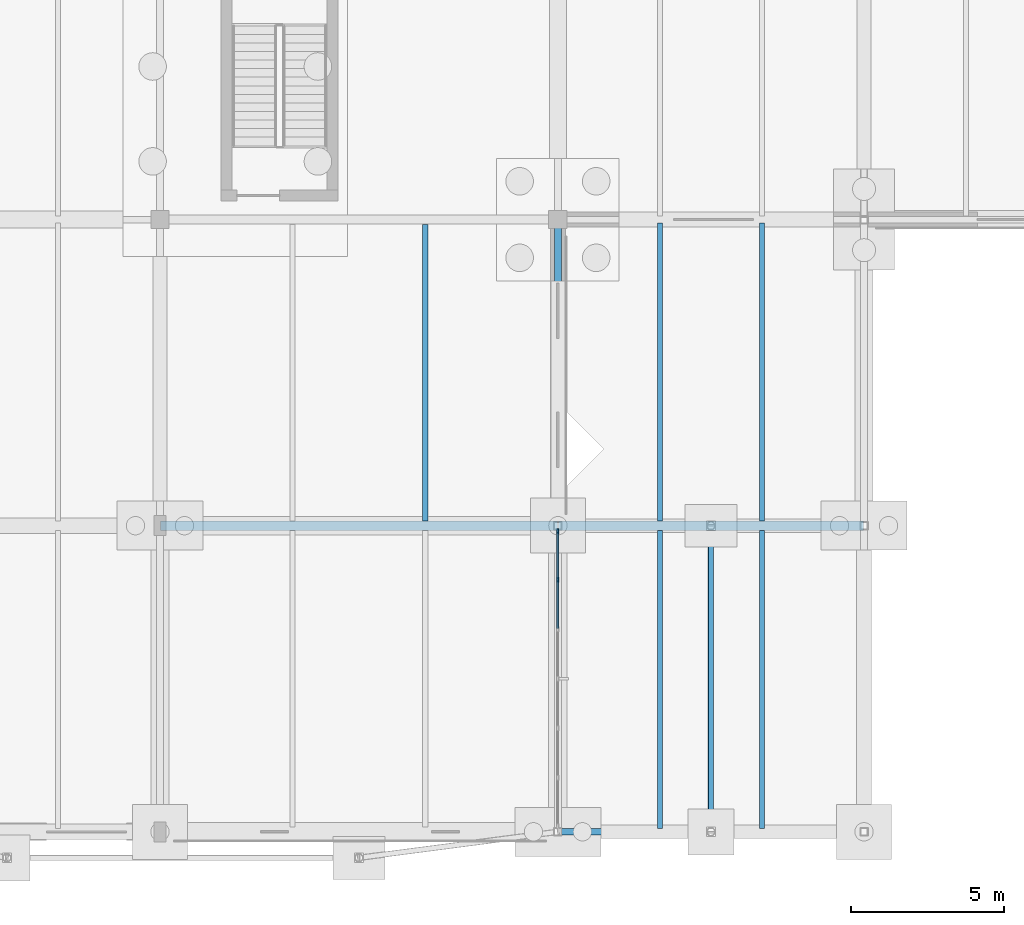
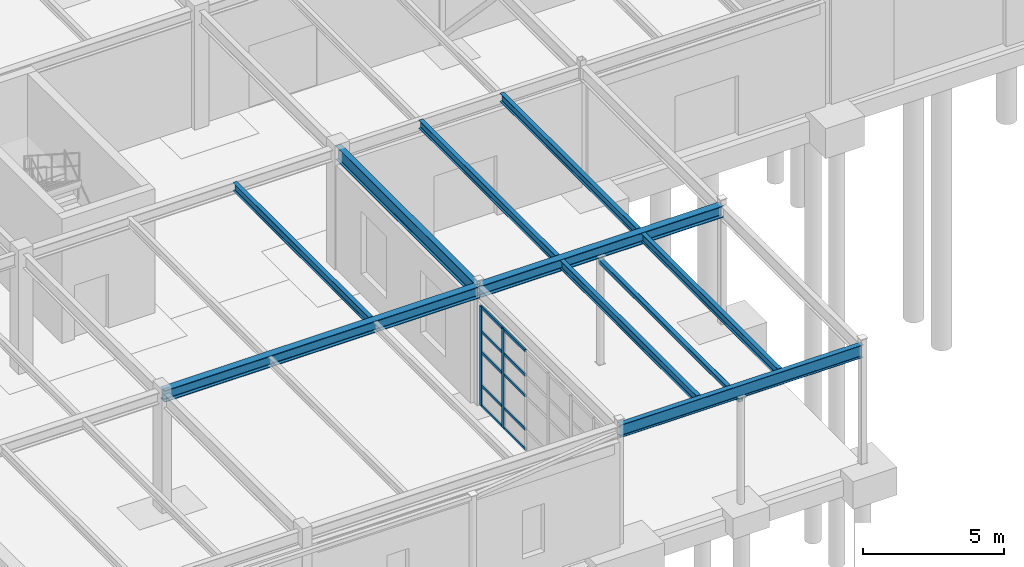
# One storey, part 35 of 145: 12 members, 10 beams, 1 element without a shape of its own.
"""IFC4 building model written with IfcOpenShell, lengths in metres."""

import ifcopenshell
import ifcopenshell.guid

model = None  # the IFC model being written
_history = None  # IfcOwnerHistory: only IFC2X3 demands one
_inside = {}  # id of a spatial element -> (the spatial element, [elements in it])
_under = {}  # id of a project, library or spatial element -> (it, [spatial elements below it])
_declared = {}  # id of a project -> (the project, [libraries it declares])
_typed = {}  # id of a type object -> (the type object, [elements of that type])
_made_of = {}  # id of a material, layer set ... -> (it, [elements and type objects made of it])


def new_model(schema):
    """Start an empty IFC model of exactly this schema.

    Asked for "IFC4X3", IfcOpenShell would pick the latest addendum, in which some entities
    have other attributes; the version numbers below select the first issue.
    IFC2X3 requires an IfcOwnerHistory on every rooted entity: one is made here for all.
    """
    global model, _history
    if schema == "IFC4X3":
        model = ifcopenshell.file(schema_version=(4, 3, 0, 0))
    else:
        model = ifcopenshell.file(schema=schema)
    _inside.clear()
    _under.clear()
    _declared.clear()
    _typed.clear()
    _made_of.clear()
    _history = None
    if model.schema == "IFC2X3":
        org = make("IfcOrganization", Name="unknown")
        user = make(
            "IfcPersonAndOrganization",
            ThePerson=make("IfcPerson", FamilyName="unknown"),
            TheOrganization=org,
        )
        app = make(
            "IfcApplication",
            ApplicationDeveloper=org,
            Version="unknown",
            ApplicationFullName="unknown",
            ApplicationIdentifier="unknown",
        )
        _history = make(
            "IfcOwnerHistory",
            OwningUser=user,
            OwningApplication=app,
            ChangeAction="ADDED",
            CreationDate=0,
        )
    return model


def make(cls, **values):
    """One entity of the class cls with the attributes given. An attribute that is None is left unset."""
    return model.create_entity(
        cls, **{name: value for name, value in values.items() if value is not None}
    )


def rooted(cls, **values):
    """An entity with a GlobalId (a new one), such as an element, a storey or a relation."""
    return make(cls, GlobalId=ifcopenshell.guid.new(), OwnerHistory=_history, **values)


def si_unit(unit_type, name, prefix=None):
    """IfcSIUnit, for example si_unit("LENGTHUNIT", "METRE", prefix="MILLI")."""
    return make("IfcSIUnit", UnitType=unit_type, Prefix=prefix, Name=name)


def assignment(units):
    """IfcUnitAssignment: the units of a project."""
    return None if units is None else make("IfcUnitAssignment", Units=units)


def point(xyz):
    """IfcCartesianPoint."""
    return None if xyz is None else make("IfcCartesianPoint", Coordinates=xyz)


def direction(xyz):
    """IfcDirection."""
    return None if xyz is None else make("IfcDirection", DirectionRatios=xyz)


def frame(location, z_axis=None, x_axis=None):
    """IfcAxis2Placement3D, a coordinate frame: its origin and axes. An axis left out is left unset."""
    return make(
        "IfcAxis2Placement3D",
        Location=point(location),
        Axis=direction(z_axis),
        RefDirection=direction(x_axis),
    )


def frame_2d(location, x_axis=None):
    """IfcAxis2Placement2D, a coordinate frame in the plane: its origin and x axis."""
    return make(
        "IfcAxis2Placement2D", Location=point(location), RefDirection=direction(x_axis)
    )


def origin():
    """The frame at (0, 0, 0) with its axes left unset."""
    return frame((0.0, 0.0, 0.0))


def origin_2d():
    """The frame at (0, 0) in the plane with its x axis left unset."""
    return frame_2d((0.0, 0.0))


def place(relative_to, where):
    """IfcLocalPlacement: puts the frame where relative to a parent placement (None: the world)."""
    return make(
        "IfcLocalPlacement", PlacementRelTo=relative_to, RelativePlacement=where
    )


def context(
    kind, dimensions, precision=None, world=None, true_north=None, identifier=None
):
    """IfcGeometricRepresentationContext, for example the 3D "Model" context."""
    return make(
        "IfcGeometricRepresentationContext",
        ContextIdentifier=identifier,
        ContextType=kind,
        CoordinateSpaceDimension=dimensions,
        Precision=precision,
        WorldCoordinateSystem=world,
        TrueNorth=true_north,
    )


def subcontext(parent, identifier, kind, view, scale=None):
    """IfcGeometricRepresentationSubContext, for example "Body" below "Model"."""
    return make(
        "IfcGeometricRepresentationSubContext",
        ContextIdentifier=identifier,
        ContextType=kind,
        ParentContext=parent,
        TargetScale=scale,
        TargetView=view,
    )


def project(units=None, contexts=None):
    """IfcProject with its units and contexts."""
    return rooted(
        "IfcProject",
        Name="project",
        RepresentationContexts=contexts,
        UnitsInContext=assignment(units),
    )


def spatial(cls, under=None, at=None, **own):
    """A site, building, storey or space (cls), placed at a placement, below another one or the project."""
    s = rooted(cls, ObjectPlacement=at, **own)
    if under is not None:
        _under.setdefault(under.id(), (under, []))[1].append(s)
    return s


def profile(cls, at=None, kind="AREA", **sizes):
    """A parametric profile (cls). Its sizes go by their IFC names, for example OverallWidth=200.0."""
    return make(cls, ProfileType=kind, Position=at, **sizes)


def rectangle(**sizes):
    """IfcRectangleProfileDef."""
    return profile("IfcRectangleProfileDef", **sizes)


def hollow_rectangle(**sizes):
    """IfcRectangleHollowProfileDef."""
    return profile("IfcRectangleHollowProfileDef", **sizes)


def i_section(**sizes):
    """IfcIShapeProfileDef."""
    return profile("IfcIShapeProfileDef", **sizes)


def extrude(swept, where, along, depth):
    """IfcExtrudedAreaSolid: the profile swept, set in the frame where, extruded along a direction by depth."""
    return make(
        "IfcExtrudedAreaSolid",
        SweptArea=swept,
        Position=where,
        ExtrudedDirection=direction(along),
        Depth=depth,
    )


def shape(context_of_items, identifier, shape_type, items):
    """IfcShapeRepresentation: the items that make up one representation, for example the "Body"."""
    return make(
        "IfcShapeRepresentation",
        ContextOfItems=context_of_items,
        RepresentationIdentifier=identifier,
        RepresentationType=shape_type,
        Items=items,
    )


def material(Name=None, Category=None):
    """IfcMaterial."""
    return make("IfcMaterial", Name=Name, Category=Category)


def layer(
    of_material, thickness, ventilated=None, Name=None, Category=None, Priority=None
):
    """IfcMaterialLayer: one layer of a wall or slab, of a material (None: an air gap)."""
    return make(
        "IfcMaterialLayer",
        Material=of_material,
        LayerThickness=thickness,
        IsVentilated=ventilated,
        Name=Name,
        Category=Category,
        Priority=Priority,
    )


def layer_set(layers, Name=None):
    """IfcMaterialLayerSet."""
    return make("IfcMaterialLayerSet", MaterialLayers=layers, LayerSetName=Name)


def material_profile(
    of_material, cross_section, Name=None, Category=None, Priority=None
):
    """IfcMaterialProfile: a cross section and its material."""
    return make(
        "IfcMaterialProfile",
        Name=Name,
        Material=of_material,
        Profile=cross_section,
        Priority=Priority,
        Category=Category,
    )


def profile_set(profiles, Name=None, composite=None):
    """IfcMaterialProfileSet."""
    return make(
        "IfcMaterialProfileSet",
        Name=Name,
        MaterialProfiles=profiles,
        CompositeProfile=composite,
    )


def made_of(thing, what):
    """Note that an element or type object is made of a material, layer set ...; save() writes the relation."""
    if what is not None:
        _made_of.setdefault(what.id(), (what, []))[1].append(thing)
    return thing


def type_object(cls, material=None, **own):
    """A type object (cls), such as IfcWallType, which elements share."""
    return made_of(rooted(cls, **own), material)


def element(
    cls,
    number,
    at=None,
    inside=None,
    cuts=None,
    type_object=None,
    material=None,
    context=None,
    identifier="Body",
    shape_type=None,
    held_by="IfcProductDefinitionShape",
    body=None,
    shapes=None,
    **own,
):
    """One element of the class cls, such as IfcWall. Its Tag is "e" and its number.

    at: its placement. inside: the storey or other place that contains it. cuts: it is an
    opening in that element (IfcRelVoidsElement). A single representation is given by context,
    identifier, shape_type and body (its items); several are given by shapes. held_by: the class
    of the entity that holds the representations. save() writes the other relations.
    """
    e = rooted(cls, Tag="e%d" % number, ObjectPlacement=at, **own)
    if body is not None:
        shapes = [shape(context, identifier, shape_type, body)]
    if shapes is not None:
        e.Representation = make(held_by, Representations=shapes)
    if inside is not None:
        _inside.setdefault(inside.id(), (inside, []))[1].append(e)
    if cuts is not None:
        rooted(
            "IfcRelVoidsElement", RelatingBuildingElement=cuts, RelatedOpeningElement=e
        )
    if type_object is not None:
        _typed.setdefault(type_object.id(), (type_object, []))[1].append(e)
    return made_of(e, material)


def aggregate(whole, parts):
    """IfcRelAggregates: a whole, such as a stair, and the parts it consists of."""
    return rooted("IfcRelAggregates", RelatingObject=whole, RelatedObjects=parts)


def save(model, path):
    """Write the relations noted so far, then the file.

    IfcRelAggregates (storeys below a building ...), IfcRelContainedInSpatialStructure (elements
    in a storey), IfcRelDefinesByType, IfcRelAssociatesMaterial and IfcRelDeclares: one each for
    every whole, place, type object, material and project.
    """
    for whole, parts in _under.values():
        aggregate(whole, parts)
    for where, things in _inside.values():
        rooted(
            "IfcRelContainedInSpatialStructure",
            RelatedElements=things,
            RelatingStructure=where,
        )
    for kind, things in _typed.values():
        rooted("IfcRelDefinesByType", RelatedObjects=things, RelatingType=kind)
    for what, things in _made_of.values():
        rooted("IfcRelAssociatesMaterial", RelatedObjects=things, RelatingMaterial=what)
    for by, libraries in _declared.values():
        rooted("IfcRelDeclares", RelatingContext=by, RelatedDefinitions=libraries)
    model.write(path)


model = new_model("IFC4")

# Units and contexts
model_context = context("Model", 3, precision=1e-05, world=origin(), true_north=direction((0.0, 1.0)))
body_context = subcontext(model_context, "Body", "Model", "MODEL_VIEW")
ifc_project = project(units=[si_unit("LENGTHUNIT", "METRE"), si_unit("AREAUNIT", "SQUARE_METRE"), si_unit("VOLUMEUNIT", "CUBIC_METRE"), si_unit("PLANEANGLEUNIT", "RADIAN"), si_unit("MASSUNIT", "GRAM", prefix="KILO"), si_unit("THERMODYNAMICTEMPERATUREUNIT", "KELVIN"), si_unit("POWERUNIT", "WATT")], contexts=[model_context])

# Site, building, storey
site_placement = place(None, origin())
site = spatial("IfcSite", under=ifc_project, at=site_placement, CompositionType="ELEMENT")
building_placement = place(site_placement, origin())
building = spatial("IfcBuilding", under=site, at=building_placement, Name="Korenveer Ferry Terminal", CompositionType="ELEMENT")
storey_placement = place(building_placement, origin())
storey = spatial("IfcBuildingStorey", under=building, at=storey_placement, Name="L00", CompositionType="ELEMENT", Elevation=0.0)

# Curtain wall, members
ifc_material_1 = material(Name="Unitised bronze-and-glass curtain wall", Category="glass")
ifc_layer = layer(ifc_material_1, 0.159912109375)
ifc_layer_set = layer_set([ifc_layer], Name="Unitised bronze-and-glass curtain wall")
curtain_wall_type = type_object("IfcCurtainWallType", Name="ENV-CW-25", PredefinedType="USERDEFINED", material=ifc_layer_set)
curtain_wall_placement = place(storey_placement, frame((53.0, 9.844970703125, 0.0)))
curtain_wall = element("IfcCurtainWall", 1, at=curtain_wall_placement, inside=storey, type_object=curtain_wall_type, Name="Lancet curtain wall CWX-L00-X53-53-Y0-10", ObjectType="UNITISED CURTAIN WALL", PredefinedType="USERDEFINED")
ifc_material_2 = material(Name="Anodised bronze aluminium", Category="aluminium")
ifc_material_profile_1 = material_profile(ifc_material_2, rectangle(XDim=0.06005859375, YDim=0.159912109375, at=origin_2d()), Name="ALU 60x160")
ifc_profile_set_1 = profile_set([ifc_material_profile_1], Name="Anodised bronze aluminium")
member_type_1 = type_object("IfcMemberType", Name="ENV-CWM-60X160", PredefinedType="MULLION", material=ifc_profile_set_1)
member_1_placement = place(storey_placement, frame((53.0, 9.81494140625, 0.0), z_axis=(0.0, 0.0, 1.0), x_axis=(1.0, 0.0, 0.0)))
member_1 = element("IfcMember", 2, at=member_1_placement, type_object=member_type_1, Name="CW-25 mullion 1", PredefinedType="MULLION", context=body_context, shape_type="SweptSolid", body=[
    extrude(rectangle(XDim=0.06005859375, YDim=0.159912109375, at=origin_2d()), origin(), (0.0, 0.0, 1.0), 4.330078125),
])
member_2_placement = place(storey_placement, frame((53.0, 8.22998046875, 0.0), z_axis=(0.0, 0.0, 1.0), x_axis=(1.0, 0.0, 0.0)))
member_2 = element("IfcMember", 3, at=member_2_placement, type_object=member_type_1, Name="CW-25 mullion 2", PredefinedType="MULLION", context=body_context, shape_type="SweptSolid", body=[
    extrude(rectangle(XDim=0.06005859375, YDim=0.159912109375, at=origin_2d()), origin(), (0.0, 0.0, 1.0), 4.330078125),
])
ifc_material_profile_2 = material_profile(ifc_material_2, rectangle(XDim=0.06005859375, YDim=0.1201171875, at=origin_2d()), Name="ALU 60x120")
ifc_profile_set_2 = profile_set([ifc_material_profile_2], Name="Anodised bronze aluminium")
member_type_2 = type_object("IfcMemberType", Name="ENV-CWT-60X120", PredefinedType="USERDEFINED", material=ifc_profile_set_2)
member_3_placement = place(storey_placement, frame((53.0, 9.784912109375, 0.030029296875), z_axis=(0.0, -1.0, 0.0), x_axis=(1.0, 0.0, 0.0)))
member_3 = element("IfcMember", 4, at=member_3_placement, type_object=member_type_2, Name="CW-25 transom 1.1", ObjectType="TRANSOM", PredefinedType="USERDEFINED", context=body_context, shape_type="SweptSolid", body=[
    extrude(rectangle(XDim=0.06005859375, YDim=0.1201171875, at=origin_2d()), origin(), (0.0, 0.0, 1.0), 1.52490234375),
])
member_4_placement = place(storey_placement, frame((53.0, 9.784912109375, 0.89990234375), z_axis=(0.0, -1.0, 0.0), x_axis=(1.0, 0.0, 0.0)))
member_4 = element("IfcMember", 5, at=member_4_placement, type_object=member_type_2, Name="CW-25 transom 1.2", ObjectType="TRANSOM", PredefinedType="USERDEFINED", context=body_context, shape_type="SweptSolid", body=[
    extrude(rectangle(XDim=0.06005859375, YDim=0.1201171875, at=origin_2d()), origin(), (0.0, 0.0, 1.0), 1.52490234375),
])
member_5_placement = place(storey_placement, frame((53.0, 9.784912109375, 2.35009765625), z_axis=(0.0, -1.0, 0.0), x_axis=(1.0, 0.0, 0.0)))
member_5 = element("IfcMember", 6, at=member_5_placement, type_object=member_type_2, Name="CW-25 transom 1.3", ObjectType="TRANSOM", PredefinedType="USERDEFINED", context=body_context, shape_type="SweptSolid", body=[
    extrude(rectangle(XDim=0.06005859375, YDim=0.1201171875, at=origin_2d()), origin(), (0.0, 0.0, 1.0), 1.52490234375),
])
member_6_placement = place(storey_placement, frame((53.0, 9.784912109375, 3.25), z_axis=(0.0, -1.0, 0.0), x_axis=(1.0, 0.0, 0.0)))
member_6 = element("IfcMember", 7, at=member_6_placement, type_object=member_type_2, Name="CW-25 transom 1.4", ObjectType="TRANSOM", PredefinedType="USERDEFINED", context=body_context, shape_type="SweptSolid", body=[
    extrude(rectangle(XDim=0.06005859375, YDim=0.1201171875, at=origin_2d()), origin(), (0.0, 0.0, 1.0), 1.52490234375),
])
member_7_placement = place(storey_placement, frame((53.0, 9.784912109375, 4.300048828125), z_axis=(0.0, -1.0, 0.0), x_axis=(1.0, 0.0, 0.0)))
member_7 = element("IfcMember", 8, at=member_7_placement, type_object=member_type_2, Name="CW-25 transom 1.5", ObjectType="TRANSOM", PredefinedType="USERDEFINED", context=body_context, shape_type="SweptSolid", body=[
    extrude(rectangle(XDim=0.06005859375, YDim=0.1201171875, at=origin_2d()), origin(), (0.0, 0.0, 1.0), 1.52490234375),
])
member_8_placement = place(storey_placement, frame((53.0, 8.199951171875, 0.030029296875), z_axis=(0.0, -1.0, 0.0), x_axis=(1.0, 0.0, 0.0)))
member_8 = element("IfcMember", 9, at=member_8_placement, type_object=member_type_2, Name="CW-25 transom 2.1", ObjectType="TRANSOM", PredefinedType="USERDEFINED", context=body_context, shape_type="SweptSolid", body=[
    extrude(rectangle(XDim=0.06005859375, YDim=0.1201171875, at=origin_2d()), origin(), (0.0, 0.0, 1.0), 1.554931640625),
])
member_9_placement = place(storey_placement, frame((53.0, 8.199951171875, 0.89990234375), z_axis=(0.0, -1.0, 0.0), x_axis=(1.0, 0.0, 0.0)))
member_9 = element("IfcMember", 10, at=member_9_placement, type_object=member_type_2, Name="CW-25 transom 2.2", ObjectType="TRANSOM", PredefinedType="USERDEFINED", context=body_context, shape_type="SweptSolid", body=[
    extrude(rectangle(XDim=0.06005859375, YDim=0.1201171875, at=origin_2d()), origin(), (0.0, 0.0, 1.0), 1.554931640625),
])
member_10_placement = place(storey_placement, frame((53.0, 8.199951171875, 2.35009765625), z_axis=(0.0, -1.0, 0.0), x_axis=(1.0, 0.0, 0.0)))
member_10 = element("IfcMember", 11, at=member_10_placement, type_object=member_type_2, Name="CW-25 transom 2.3", ObjectType="TRANSOM", PredefinedType="USERDEFINED", context=body_context, shape_type="SweptSolid", body=[
    extrude(rectangle(XDim=0.06005859375, YDim=0.1201171875, at=origin_2d()), origin(), (0.0, 0.0, 1.0), 1.554931640625),
])
member_11_placement = place(storey_placement, frame((53.0, 8.199951171875, 3.25), z_axis=(0.0, -1.0, 0.0), x_axis=(1.0, 0.0, 0.0)))
member_11 = element("IfcMember", 12, at=member_11_placement, type_object=member_type_2, Name="CW-25 transom 2.4", ObjectType="TRANSOM", PredefinedType="USERDEFINED", context=body_context, shape_type="SweptSolid", body=[
    extrude(rectangle(XDim=0.06005859375, YDim=0.1201171875, at=origin_2d()), origin(), (0.0, 0.0, 1.0), 1.554931640625),
])
member_12_placement = place(storey_placement, frame((53.0, 8.199951171875, 4.300048828125), z_axis=(0.0, -1.0, 0.0), x_axis=(1.0, 0.0, 0.0)))
member_12 = element("IfcMember", 13, at=member_12_placement, type_object=member_type_2, Name="CW-25 transom 2.5", ObjectType="TRANSOM", PredefinedType="USERDEFINED", context=body_context, shape_type="SweptSolid", body=[
    extrude(rectangle(XDim=0.06005859375, YDim=0.1201171875, at=origin_2d()), origin(), (0.0, 0.0, 1.0), 1.554931640625),
])
aggregate(curtain_wall, [member_1, member_2, member_3, member_4, member_5, member_6, member_7, member_8, member_9, member_10, member_11, member_12])

# Beams
ifc_material_3 = material(Name="Steel S355", Category="steel")
ifc_material_profile_3 = material_profile(ifc_material_3, i_section(OverallWidth=0.300048828125, OverallDepth=0.5, WebThickness=0.014404296875, FlangeThickness=0.028076171875, FilletRadius=0.027099609375, at=origin_2d()), Name="HEB 500")
ifc_profile_set_3 = profile_set([ifc_material_profile_3], Name="Steel S355")
beam_type_1 = type_object("IfcBeamType", Name="STR-BM-HEB500", PredefinedType="BEAM", material=ifc_profile_set_3)
beam_1_placement = place(storey_placement, frame((40.02001953125, 10.0, 4.909912109375), z_axis=(1.0, 0.0, 0.0), x_axis=(0.0, 1.0, 0.0)))
element("IfcBeam", 14, at=beam_1_placement, inside=storey, type_object=beam_type_1, Name="Primary X girder BMX-L01-X40-53-Y10", PredefinedType="BEAM", context=body_context, shape_type="SweptSolid", body=[
    extrude(i_section(OverallWidth=0.300048828125, OverallDepth=0.5, WebThickness=0.014404296875, FlangeThickness=0.028076171875, FilletRadius=0.027099609375, at=origin_2d()), origin(), (0.0, 0.0, 1.0), 12.9599609375),
])
beam_2_placement = place(storey_placement, frame((53.02001953125, 10.0, 4.909912109375), z_axis=(1.0, 0.0, 0.0), x_axis=(0.0, 1.0, 0.0)))
element("IfcBeam", 15, at=beam_2_placement, inside=storey, type_object=beam_type_1, Name="Primary X girder BMX-L01-X53-63-Y10", PredefinedType="BEAM", context=body_context, shape_type="SweptSolid", body=[
    extrude(i_section(OverallWidth=0.300048828125, OverallDepth=0.5, WebThickness=0.014404296875, FlangeThickness=0.028076171875, FilletRadius=0.027099609375, at=origin_2d()), origin(), (0.0, 0.0, 1.0), 9.9599609375),
])
ifc_material_profile_4 = material_profile(ifc_material_3, i_section(OverallWidth=0.2099609375, OverallDepth=0.550048828125, WebThickness=0.010986328125, FlangeThickness=0.01708984375, FilletRadius=0.02392578125, at=origin_2d()), Name="IPE 550")
ifc_profile_set_4 = profile_set([ifc_material_profile_4], Name="Steel S355")
beam_type_2 = type_object("IfcBeamType", Name="STR-BM-IPE550", PredefinedType="BEAM", material=ifc_profile_set_4)
beam_3_placement = place(storey_placement, frame((53.02001953125, 0.0, 4.885009765625), z_axis=(1.0, 0.0, 0.0), x_axis=(0.0, 1.0, 0.0)))
element("IfcBeam", 16, at=beam_3_placement, inside=storey, type_object=beam_type_2, Name="Primary X girder BMX-L01-X53-63-Y0", PredefinedType="BEAM", context=body_context, shape_type="SweptSolid", body=[
    extrude(i_section(OverallWidth=0.2099609375, OverallDepth=0.550048828125, WebThickness=0.010986328125, FlangeThickness=0.01708984375, FilletRadius=0.02392578125, at=origin_2d()), origin(), (0.0, 0.0, 1.0), 9.9599609375),
])
ifc_material_profile_5 = material_profile(ifc_material_3, i_section(OverallWidth=0.219970703125, OverallDepth=0.60009765625, WebThickness=0.011962890625, FlangeThickness=0.01904296875, FilletRadius=0.02392578125, at=origin_2d()), Name="IPE 600")
ifc_profile_set_5 = profile_set([ifc_material_profile_5], Name="Steel S355")
beam_type_3 = type_object("IfcBeamType", Name="STR-BM-IPE600", PredefinedType="BEAM", material=ifc_profile_set_5)
beam_4_placement = place(storey_placement, frame((53.0, 10.02001953125, 4.860107421875), z_axis=(0.0, 1.0, 0.0), x_axis=(-1.0, 0.0, 0.0)))
element("IfcBeam", 17, at=beam_4_placement, inside=storey, type_object=beam_type_3, Name="Primary Y girder BMY-L01-X53-Y10-20", PredefinedType="BEAM", context=body_context, shape_type="SweptSolid", body=[
    extrude(i_section(OverallWidth=0.219970703125, OverallDepth=0.60009765625, WebThickness=0.011962890625, FlangeThickness=0.01904296875, FilletRadius=0.02392578125, at=origin_2d()), origin(), (0.0, 0.0, 1.0), 9.9599609375),
])
ifc_material_profile_6 = material_profile(ifc_material_3, i_section(OverallWidth=0.169921875, OverallDepth=0.360107421875, WebThickness=0.008056640625, FlangeThickness=0.0126953125, FilletRadius=0.01806640625, at=origin_2d()), Name="IPE 360")
ifc_profile_set_6 = profile_set([ifc_material_profile_6], Name="Steel S355")
beam_type_4 = type_object("IfcBeamType", Name="STR-JST-IPE360", PredefinedType="JOIST", material=ifc_profile_set_6)
beam_5_placement = place(storey_placement, frame((48.666748046875, 10.159912109375, 4.97998046875), z_axis=(0.0, 1.0, 0.0), x_axis=(-1.0, 0.0, 0.0)))
element("IfcBeam", 18, at=beam_5_placement, inside=storey, type_object=beam_type_4, Name="Secondary composite joist JST-L01-X487-Y10-20", PredefinedType="JOIST", context=body_context, shape_type="SweptSolid", body=[
    extrude(i_section(OverallWidth=0.169921875, OverallDepth=0.360107421875, WebThickness=0.008056640625, FlangeThickness=0.0126953125, FilletRadius=0.01806640625, at=origin_2d()), origin(), (0.0, 0.0, 1.0), 9.68017578125),
])
for number, where, z_axis, x_axis, name in (
    (19, (56.333251953125, 0.114990234375, 4.97998046875), (0.0, 1.0, 0.0), (-1.0, 0.0, 0.0), "Secondary composite joist JST-L01-X563-Y0-10"),
    (20, (59.666748046875, 0.114990234375, 4.97998046875), (0.0, 1.0, 0.0), (-1.0, 0.0, 0.0), "Secondary composite joist JST-L01-X597-Y0-10"),
    (21, (56.333251953125, 10.159912109375, 4.97998046875), (0.0, 1.0, 0.0), (-1.0, 0.0, 0.0), "Secondary composite joist JST-L01-X563-Y10-20"),
    (22, (59.666748046875, 10.159912109375, 4.97998046875), (0.0, 1.0, 0.0), (-1.0, 0.0, 0.0), "Secondary composite joist JST-L01-X597-Y10-20"),
):
    element("IfcBeam", number, at=place(storey_placement, frame(where, z_axis=z_axis, x_axis=x_axis)), inside=storey, type_object=beam_type_4, Name=name, PredefinedType="JOIST", context=body_context, shape_type="SweptSolid", body=[
        extrude(i_section(OverallWidth=0.169921875, OverallDepth=0.360107421875, WebThickness=0.008056640625, FlangeThickness=0.0126953125, FilletRadius=0.01806640625, at=origin_2d()), origin(), (0.0, 0.0, 1.0), 9.72509765625),
    ])
ifc_material_profile_7 = material_profile(ifc_material_3, hollow_rectangle(XDim=0.179931640625, YDim=0.179931640625, WallThickness=0.010009765625, InnerFilletRadius=0.010009765625, OuterFilletRadius=0.014892578125, at=origin_2d()), Name="SHS 180x180x10")
ifc_profile_set_7 = profile_set([ifc_material_profile_7], Name="Steel S355")
beam_type_5 = type_object("IfcBeamType", Name="STR-LNT-SHS180", PredefinedType="LINTEL", material=ifc_profile_set_7)
beam_6_placement = place(storey_placement, frame((58.0, 0.0, 4.449951171875), z_axis=(0.0, 1.0, 0.0), x_axis=(-1.0, 0.0, 0.0)))
element("IfcBeam", 23, at=beam_6_placement, inside=storey, type_object=beam_type_5, Name="Forecourt arcade lintel LNT-FCPAIR-02", PredefinedType="LINTEL", context=body_context, shape_type="SweptSolid", body=[
    extrude(hollow_rectangle(XDim=0.179931640625, YDim=0.179931640625, WallThickness=0.010009765625, InnerFilletRadius=0.010009765625, OuterFilletRadius=0.014892578125, at=origin_2d()), origin(), (0.0, 0.0, 1.0), 10.0),
])

save(model, "model.ifc")
